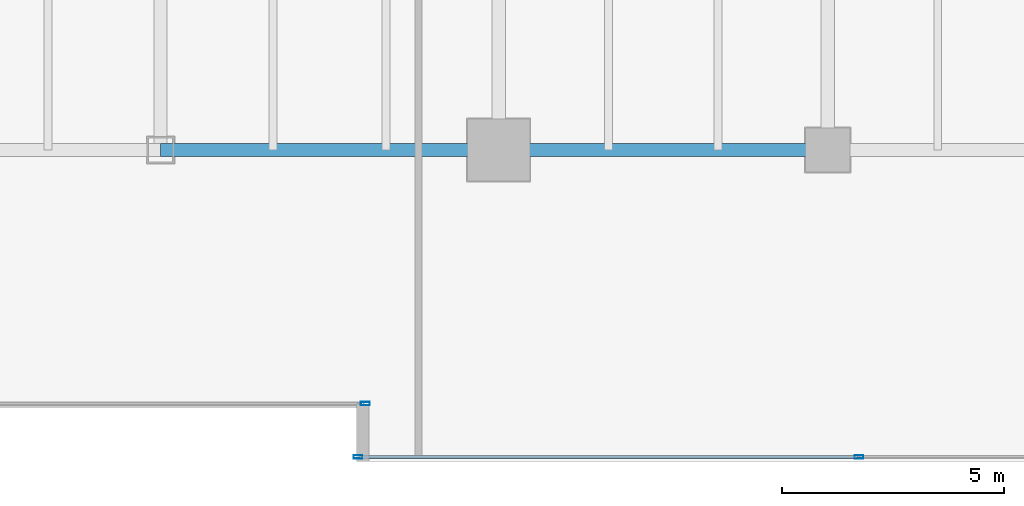
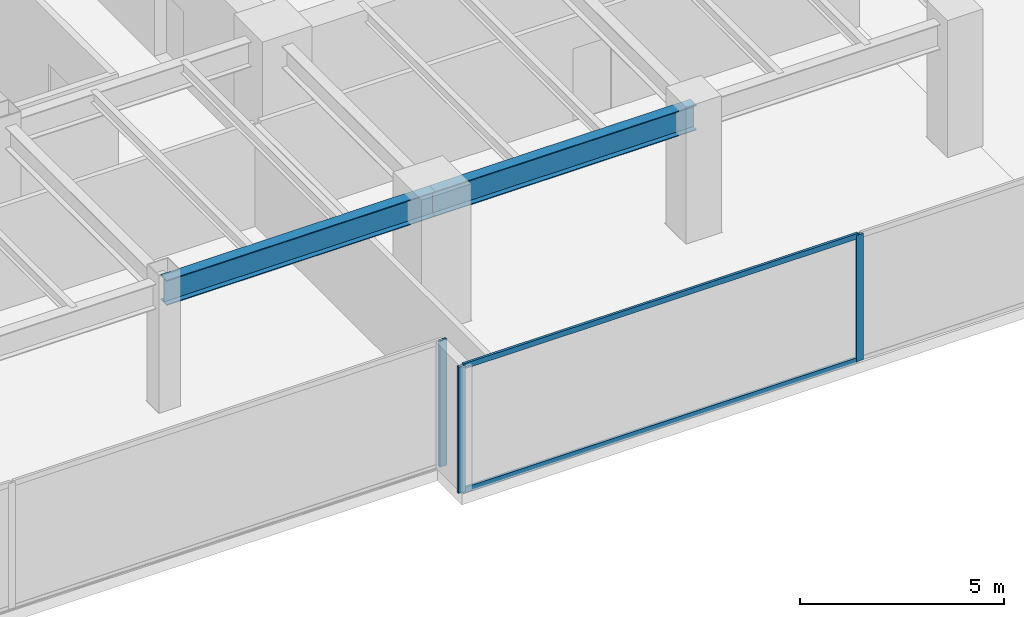
# One storey, part 10 of 37: 5 members, 2 beams, 2 elements without a shape of their own.
"""IFC4 building model written with IfcOpenShell, lengths in metres."""

from ifc_helpers import new_model, si_unit, direction, frame, origin, origin_2d, place, context, subcontext, project, spatial, hollow_rectangle, i_section, extrude, source, transform, mapped, material, layer, layer_set, material_profile, profile_set, type_object, type_shapes, element, aggregate, save


model = new_model("IFC4")

# Units and contexts
model_context = context("Model", 3, precision=1e-05, world=origin(), true_north=direction((0.0, 1.0)))
body_context = subcontext(model_context, "Body", "Model", "MODEL_VIEW")
ifc_project = project(units=[si_unit("LENGTHUNIT", "METRE"), si_unit("AREAUNIT", "SQUARE_METRE"), si_unit("VOLUMEUNIT", "CUBIC_METRE"), si_unit("PLANEANGLEUNIT", "RADIAN"), si_unit("MASSUNIT", "GRAM", prefix="KILO")], contexts=[model_context])

# Site, building, storey
site_placement = place(None, origin())
site = spatial("IfcSite", under=ifc_project, at=site_placement, CompositionType="ELEMENT")
building_placement = place(site_placement, origin())
building = spatial("IfcBuilding", under=site, at=building_placement, Name="Haelvirn Gate Laboratories", CompositionType="ELEMENT")
storey_placement = place(building_placement, frame((0.0, 0.0, 78.5)))
storey = spatial("IfcBuildingStorey", under=building, at=storey_placement, Name="L19", CompositionType="ELEMENT", Elevation=78.5)

# Beams
ifc_material_1 = material(Name="Steel SM355", Category="steel")
ifc_material_profile_1 = material_profile(ifc_material_1, i_section(OverallWidth=0.300048828125, OverallDepth=0.75, WebThickness=0.013916015625, FlangeThickness=0.02392578125, at=origin_2d()), Name="H-750x300x14x24")
ifc_profile_set_1 = profile_set([ifc_material_profile_1], Name="Steel SM355")
beam_type = type_object("IfcBeamType", Name="BM-G-750", PredefinedType="BEAM", material=ifc_profile_set_1)
shared_shape_1 = source(origin(), body_context, "Body", "SweptSolid", [
    extrude(i_section(OverallWidth=0.300048828125, OverallDepth=0.75, WebThickness=0.013916015625, FlangeThickness=0.02392578125, at=origin_2d()), origin(), (0.0, 0.0, 1.0), 7.39990234375),
])
beam_1_placement = place(storey_placement, frame((52.60009765625, 7.0, 3.405029296875), z_axis=(1.0, 0.0, 0.0), x_axis=(0.0, 1.0, 0.0)))
element("IfcBeam", 1, at=beam_1_placement, inside=storey, type_object=beam_type, Name="L19 Primary Girder Y7.0 (52.6-60.0)", PredefinedType="BEAM", context=body_context, shape_type="MappedRepresentation", body=[
    mapped(shared_shape_1, transform((0.0, 0.0, 0.0), scale=1.0)),
])
shared_shape_2 = source(origin(), body_context, "Body", "SweptSolid", [
    extrude(i_section(OverallWidth=0.300048828125, OverallDepth=0.75, WebThickness=0.013916015625, FlangeThickness=0.02392578125, at=origin_2d()), origin(), (0.0, 0.0, 1.0), 7.60009765625),
])
type_shapes(beam_type, [shared_shape_1, shared_shape_2])
beam_2_placement = place(storey_placement, frame((45.0, 7.0, 3.405029296875), z_axis=(1.0, 0.0, 0.0), x_axis=(0.0, 1.0, 0.0)))
element("IfcBeam", 2, at=beam_2_placement, inside=storey, type_object=beam_type, Name="L19 Primary Girder Y7.0 (45.0-52.6)", PredefinedType="BEAM", context=body_context, shape_type="MappedRepresentation", body=[
    mapped(shared_shape_2, transform((0.0, 0.0, 0.0), scale=1.0)),
])

# Curtain wall, member
ifc_material_2 = material(Name="Anodised bronze unitised aluminium & triple low-E glass", Category="aluminium")
ifc_layer = layer(ifc_material_2, 0.18408203125, Name="CW-SYS-2")
ifc_layer_set = layer_set([ifc_layer], Name="Anodised bronze unitised aluminium & triple low-E glass")
curtain_wall_type = type_object("IfcCurtainWallType", Name="CW-SYS-2", PredefinedType="NOTDEFINED", material=ifc_layer_set)
curtain_wall_1_placement = place(storey_placement, origin())
curtain_wall_1 = element("IfcCurtainWall", 3, at=curtain_wall_1_placement, inside=storey, type_object=curtain_wall_type, Name="L19 Unitised Curtain Wall CW-L19-P0-E02-1", PredefinedType="NOTDEFINED")
ifc_material_3 = material(Name="Extruded aluminium 6063-T6 (anodised bronze)", Category="aluminium")
ifc_material_profile_2 = material_profile(ifc_material_3, hollow_rectangle(XDim=0.074951171875, YDim=0.199951171875, WallThickness=0.0048828125, at=origin_2d()), Name="CWM-200x75x5")
ifc_profile_set_2 = profile_set([ifc_material_profile_2], Name="Extruded aluminium 6063-T6 (anodised bronze)")
member_type_1 = type_object("IfcMemberType", Name="CWM-T200", PredefinedType="MULLION", material=ifc_profile_set_2)
shared_shape_3 = source(origin(), body_context, "Body", "SweptSolid", [
    extrude(hollow_rectangle(XDim=0.074951171875, YDim=0.199951171875, WallThickness=0.0048828125, at=origin_2d()), origin(), (0.0, 0.0, 1.0), 3.780029296875),
])
type_shapes(member_type_1, [shared_shape_3])
member_1_placement = place(storey_placement, frame((49.6025390625, 1.300048828125, 0.0), z_axis=(0.0, 0.0, 1.0), x_axis=(0.0, 1.0, 0.0)))
member_1 = element("IfcMember", 4, at=member_1_placement, type_object=member_type_1, Name="CW2 mullion 3", PredefinedType="MULLION", context=body_context, shape_type="MappedRepresentation", body=[
    mapped(shared_shape_3, transform((0.0, 0.0, 0.0), scale=1.0)),
])
aggregate(curtain_wall_1, [member_1])

# Curtain wall, members
curtain_wall_2_placement = place(storey_placement, origin())
curtain_wall_2 = element("IfcCurtainWall", 5, at=curtain_wall_2_placement, inside=storey, type_object=curtain_wall_type, Name="L19 Unitised Curtain Wall CW-L19-P0-E04-1", PredefinedType="NOTDEFINED")
member_2_placement = place(storey_placement, frame((49.4375, 0.10009765625, 0.0), z_axis=(0.0, 0.0, 1.0), x_axis=(0.0, 1.0, 0.0)))
member_2 = element("IfcMember", 6, at=member_2_placement, type_object=member_type_1, Name="CW2 mullion 1", PredefinedType="MULLION", context=body_context, shape_type="MappedRepresentation", body=[
    mapped(shared_shape_3, transform((0.0, 0.0, 0.0), scale=1.0)),
])
member_3_placement = place(storey_placement, frame((60.699951171875, 0.10009765625, 0.0), z_axis=(0.0, 0.0, 1.0), x_axis=(0.0, 1.0, 0.0)))
member_3 = element("IfcMember", 7, at=member_3_placement, type_object=member_type_1, Name="CW2 mullion 2", PredefinedType="MULLION", context=body_context, shape_type="MappedRepresentation", body=[
    mapped(shared_shape_3, transform((0.0, 0.0, 0.0), scale=1.0)),
])
ifc_material_profile_3 = material_profile(ifc_material_3, hollow_rectangle(XDim=0.070068359375, YDim=0.159912109375, WallThickness=0.0048828125, at=origin_2d()), Name="CWT-160x70x5")
ifc_profile_set_3 = profile_set([ifc_material_profile_3], Name="Extruded aluminium 6063-T6 (anodised bronze)")
member_type_2 = type_object("IfcMemberType", Name="CWT-T160", PredefinedType="USERDEFINED", material=ifc_profile_set_3)
shared_shape_4 = source(origin(), body_context, "Body", "SweptSolid", [
    extrude(hollow_rectangle(XDim=0.070068359375, YDim=0.159912109375, WallThickness=0.0048828125, at=origin_2d()), origin(), (0.0, 0.0, 1.0), 11.1875),
])
type_shapes(member_type_2, [shared_shape_4])
member_4_placement = place(storey_placement, frame((49.47509765625, 0.10009765625, 0.034912109375), z_axis=(1.0, 0.0, 0.0), x_axis=(0.0, 1.0, 0.0)))
member_4 = element("IfcMember", 8, at=member_4_placement, type_object=member_type_2, Name="CW2 transom 1.1", ObjectType="TRANSOM", PredefinedType="USERDEFINED", context=body_context, shape_type="MappedRepresentation", body=[
    mapped(shared_shape_4, transform((0.0, 0.0, 0.0), scale=1.0)),
])
member_5_placement = place(storey_placement, frame((49.47509765625, 0.10009765625, 3.7451171875), z_axis=(1.0, 0.0, 0.0), x_axis=(0.0, 1.0, 0.0)))
member_5 = element("IfcMember", 9, at=member_5_placement, type_object=member_type_2, Name="CW2 transom 1.2", ObjectType="TRANSOM", PredefinedType="USERDEFINED", context=body_context, shape_type="MappedRepresentation", body=[
    mapped(shared_shape_4, transform((0.0, 0.0, 0.0), scale=1.0)),
])
aggregate(curtain_wall_2, [member_2, member_3, member_4, member_5])

save(model, "model.ifc")
